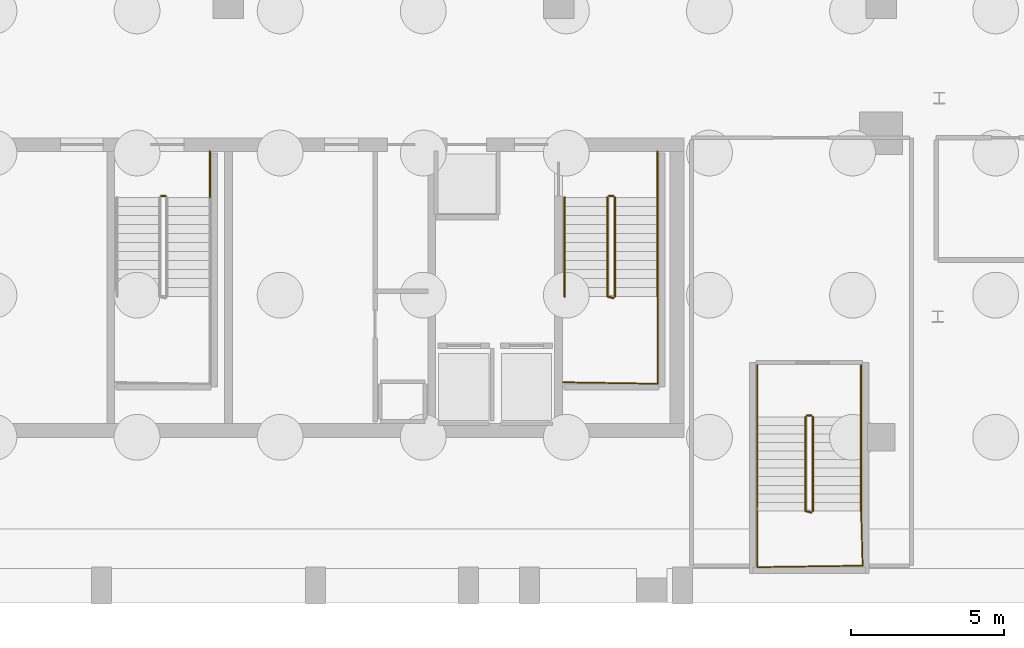
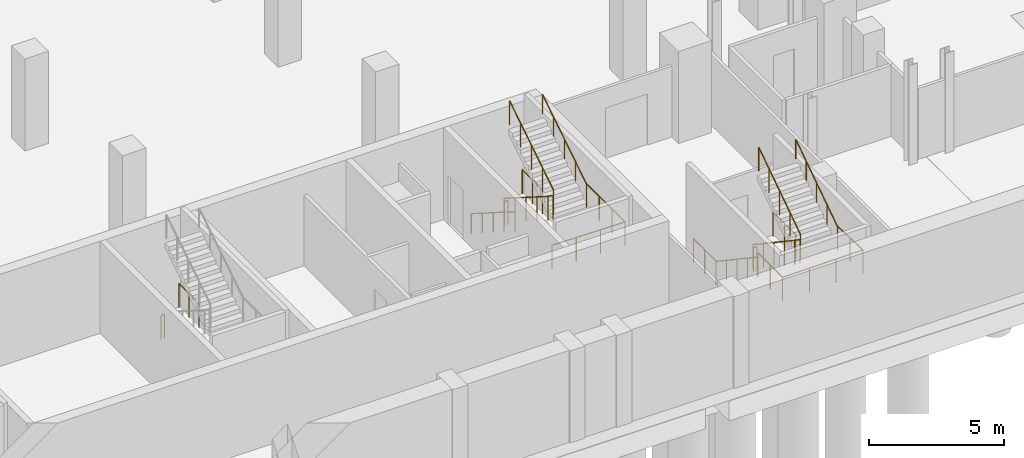
# One storey, part 16 of 18: 17 railings.
"""IFC4 building model written with IfcOpenShell, lengths in metres."""

from ifc_helpers import new_model, si_unit, direction, frame, origin, origin_2d, place, context, subcontext, project, spatial, circle, extrude, material, layer, layer_set, type_object, element, save


model = new_model("IFC4")

# Units and contexts
model_context = context("Model", 3, precision=1e-05, world=origin(), true_north=direction((0.0, 1.0)))
body_context = subcontext(model_context, "Body", "Model", "MODEL_VIEW")
ifc_project = project(units=[si_unit("LENGTHUNIT", "METRE"), si_unit("AREAUNIT", "SQUARE_METRE"), si_unit("VOLUMEUNIT", "CUBIC_METRE"), si_unit("PLANEANGLEUNIT", "RADIAN"), si_unit("MASSUNIT", "GRAM", prefix="KILO")], contexts=[model_context])

# Site, building, storey
site_placement = place(None, origin())
site = spatial("IfcSite", under=ifc_project, at=site_placement, CompositionType="ELEMENT")
building_placement = place(site_placement, origin())
building = spatial("IfcBuilding", under=site, at=building_placement, Name="Ndaravel Arena Tower", CompositionType="ELEMENT")
storey_placement = place(building_placement, frame((0.0, 0.0, -9.0)))
storey = spatial("IfcBuildingStorey", under=building, at=storey_placement, Name="B02", CompositionType="ELEMENT", Elevation=-9.0)

# Railings
ifc_material_1 = material(Name="Steel S355", Category="steel")
ifc_layer_1 = layer(ifc_material_1, 0.06005859375)
ifc_layer_set_1 = layer_set([ifc_layer_1], Name="Steel S355")
railing_type_1 = type_object("IfcRailingType", Name="RAIL-STAIR-GD1100", PredefinedType="GUARDRAIL", material=ifc_layer_set_1)
railing_1_placement = place(storey_placement, frame((40.449951171875, 13.300048828125, 0.0)))
element("IfcRailing", 1, at=railing_1_placement, inside=storey, type_object=railing_type_1, Name="B02 ST-2 stair guard 4", PredefinedType="GUARDRAIL", context=body_context, shape_type="SweptSolid", body=[
    extrude(circle(Radius=0.02392578125, at=origin_2d()), frame((0.0, 0.0, 1.076171875), z_axis=(1.0, 0.0, 0.0), x_axis=(0.0, 1.0, 0.0)), (0.0, 0.0, 1.0), 0.14013671875),
    extrude(circle(Radius=0.02099609375, at=origin_2d()), origin(), (0.0, 0.0, 1.0), 1.052001953125),
    extrude(circle(Radius=0.02099609375, at=origin_2d()), frame((0.14013671875, 0.0, 0.0)), (0.0, 0.0, 1.0), 1.052001953125),
])
railing_2_placement = place(storey_placement, frame((42.0400390625, 14.75, 0.0)))
element("IfcRailing", 2, at=railing_2_placement, inside=storey, type_object=railing_type_1, Name="B02 ST-2 stair guard 5", PredefinedType="GUARDRAIL", context=body_context, shape_type="SweptSolid", body=[
    extrude(circle(Radius=0.02392578125, at=origin_2d()), frame((0.0, 0.0, 1.076171875), z_axis=(0.0, -1.0, 0.0), x_axis=(1.0, 0.0, 0.0)), (0.0, 0.0, 1.0), 1.5),
    extrude(circle(Radius=0.02099609375, at=origin_2d()), origin(), (0.0, 0.0, 1.0), 1.052001953125),
    extrude(circle(Radius=0.02099609375, at=origin_2d()), frame((0.0, -0.75, 0.0)), (0.0, 0.0, 1.0), 1.052001953125),
    extrude(circle(Radius=0.02099609375, at=origin_2d()), frame((0.0, -1.5, 0.0)), (0.0, 0.0, 1.0), 1.052001953125),
])
railing_3_placement = place(storey_placement, frame((55.050048828125, 13.25, 0.1875)))
element("IfcRailing", 3, at=railing_3_placement, inside=storey, type_object=railing_type_1, Name="B02 ST-3 stair guard 1", PredefinedType="GUARDRAIL", context=body_context, shape_type="SweptSolid", body=[
    extrude(circle(Radius=0.02392578125, at=origin_2d()), frame((0.0, 0.0, 1.076171875), z_axis=(0.0, -0.843964631203, 0.536398826693), x_axis=(1.0, 0.0, 0.0)), (0.0, 0.0, 1.0), 3.844970703125),
    extrude(circle(Radius=0.02392578125, at=origin_2d()), frame((0.0, -3.2451171875, 3.138671875), z_axis=(0.967299629482, -0.253636406702, 0.0), x_axis=(0.253636406702, 0.967299629482, 0.0)), (0.0, 0.0, 1.0), 0.1962890625),
    extrude(circle(Radius=0.02099609375, at=origin_2d()), origin(), (0.0, 0.0, 1.0), 1.052001953125),
    extrude(circle(Radius=0.02099609375, at=origin_2d()), frame((0.0, -0.811279296875, 0.515625)), (0.0, 0.0, 1.0), 1.052001953125),
    extrude(circle(Radius=0.02099609375, at=origin_2d()), frame((0.0, -1.62255859375, 1.03125)), (0.0, 0.0, 1.0), 1.052001953125),
    extrude(circle(Radius=0.02099609375, at=origin_2d()), frame((0.0, -2.433837890625, 1.546875)), (0.0, 0.0, 1.0), 1.052001953125),
    extrude(circle(Radius=0.02099609375, at=origin_2d()), frame((0.0, -3.2451171875, 2.0625)), (0.0, 0.0, 1.0), 1.052001953125),
    extrude(circle(Radius=0.02099609375, at=origin_2d()), frame((0.18994140625, -3.294921875, 2.0625)), (0.0, 0.0, 1.0), 1.052001953125),
])
railing_4_placement = place(storey_placement, frame((56.68994140625, 10.0048828125, 2.25)))
element("IfcRailing", 4, at=railing_4_placement, inside=storey, type_object=railing_type_1, Name="B02 ST-3 stair guard 2", PredefinedType="GUARDRAIL", context=body_context, shape_type="SweptSolid", body=[
    extrude(circle(Radius=0.02392578125, at=origin_2d()), frame((0.0, 0.0, 1.076171875), z_axis=(0.0, -1.0, 0.0), x_axis=(1.0, 0.0, 0.0)), (0.0, 0.0, 1.0), 2.85498046875),
    extrude(circle(Radius=0.02392578125, at=origin_2d()), frame((0.0, -2.85498046875, 1.076171875), z_axis=(-0.999868840623, 0.016195726322, 0.0), x_axis=(-0.016195726322, -0.999868840623, 0.0)), (0.0, 0.0, 1.0), 3.09033203125),
    extrude(circle(Radius=0.02099609375, at=origin_2d()), origin(), (0.0, 0.0, 1.0), 1.052001953125),
    extrude(circle(Radius=0.02099609375, at=origin_2d()), frame((0.0, -0.95166015625, 0.0)), (0.0, 0.0, 1.0), 1.052001953125),
    extrude(circle(Radius=0.02099609375, at=origin_2d()), frame((0.0, -1.9033203125, 0.0)), (0.0, 0.0, 1.0), 1.052001953125),
    extrude(circle(Radius=0.02099609375, at=origin_2d()), frame((0.0, -2.85498046875, 0.0)), (0.0, 0.0, 1.0), 1.052001953125),
    extrude(circle(Radius=0.02099609375, at=origin_2d()), frame((-1.030029296875, -2.83837890625, 0.0)), (0.0, 0.0, 1.0), 1.052001953125),
    extrude(circle(Radius=0.02099609375, at=origin_2d()), frame((-2.059814453125, -2.821533203125, 0.0)), (0.0, 0.0, 1.0), 1.052001953125),
    extrude(circle(Radius=0.02099609375, at=origin_2d()), frame((-3.08984375, -2.804931640625, 0.0)), (0.0, 0.0, 1.0), 1.052001953125),
])
railing_5_placement = place(storey_placement, frame((55.2900390625, 10.0048828125, 2.4375)))
element("IfcRailing", 5, at=railing_5_placement, inside=storey, type_object=railing_type_1, Name="B02 ST-3 stair guard 3", PredefinedType="GUARDRAIL", context=body_context, shape_type="SweptSolid", body=[
    extrude(circle(Radius=0.02392578125, at=origin_2d()), frame((0.0, 0.0, 1.076171875), z_axis=(0.0, 0.843964631203, 0.536398826693), x_axis=(-1.0, 0.0, 0.0)), (0.0, 0.0, 1.0), 3.844970703125),
    extrude(circle(Radius=0.02099609375, at=origin_2d()), origin(), (0.0, 0.0, 1.0), 1.052001953125),
    extrude(circle(Radius=0.02099609375, at=origin_2d()), frame((0.0, 0.811279296875, 0.515625)), (0.0, 0.0, 1.0), 1.052001953125),
    extrude(circle(Radius=0.02099609375, at=origin_2d()), frame((0.0, 1.62255859375, 1.03125)), (0.0, 0.0, 1.0), 1.052001953125),
    extrude(circle(Radius=0.02099609375, at=origin_2d()), frame((0.0, 2.433837890625, 1.546875)), (0.0, 0.0, 1.0), 1.052001953125),
    extrude(circle(Radius=0.02099609375, at=origin_2d()), frame((0.0, 3.2451171875, 2.0625)), (0.0, 0.0, 1.0), 1.052001953125),
])
railing_6_placement = place(storey_placement, frame((55.10009765625, 13.300048828125, 0.0)))
element("IfcRailing", 6, at=railing_6_placement, inside=storey, type_object=railing_type_1, Name="B02 ST-3 stair guard 4", PredefinedType="GUARDRAIL", context=body_context, shape_type="SweptSolid", body=[
    extrude(circle(Radius=0.02392578125, at=origin_2d()), frame((0.0, 0.0, 1.076171875), z_axis=(1.0, 0.0, 0.0), x_axis=(0.0, 1.0, 0.0)), (0.0, 0.0, 1.0), 0.139892578125),
    extrude(circle(Radius=0.02099609375, at=origin_2d()), origin(), (0.0, 0.0, 1.0), 1.052001953125),
    extrude(circle(Radius=0.02099609375, at=origin_2d()), frame((0.139892578125, 0.0, 0.0)), (0.0, 0.0, 1.0), 1.052001953125),
])
railing_7_placement = place(storey_placement, frame((56.68994140625, 14.75, 0.0)))
element("IfcRailing", 7, at=railing_7_placement, inside=storey, type_object=railing_type_1, Name="B02 ST-3 stair guard 5", PredefinedType="GUARDRAIL", context=body_context, shape_type="SweptSolid", body=[
    extrude(circle(Radius=0.02392578125, at=origin_2d()), frame((0.0, 0.0, 1.076171875), z_axis=(0.0, -1.0, 0.0), x_axis=(1.0, 0.0, 0.0)), (0.0, 0.0, 1.0), 1.5),
    extrude(circle(Radius=0.02099609375, at=origin_2d()), origin(), (0.0, 0.0, 1.0), 1.052001953125),
    extrude(circle(Radius=0.02099609375, at=origin_2d()), frame((0.0, -0.75, 0.0)), (0.0, 0.0, 1.0), 1.052001953125),
    extrude(circle(Radius=0.02099609375, at=origin_2d()), frame((0.0, -1.5, 0.0)), (0.0, 0.0, 1.0), 1.052001953125),
])
railing_8_placement = place(storey_placement, frame((61.530029296875, 6.070068359375, 0.1875)))
element("IfcRailing", 8, at=railing_8_placement, inside=storey, type_object=railing_type_1, Name="B02 ST-B2 stair guard 1", PredefinedType="GUARDRAIL", context=body_context, shape_type="SweptSolid", body=[
    extrude(circle(Radius=0.02392578125, at=origin_2d()), frame((0.0, 0.0, 1.076171875), z_axis=(0.0, -0.830913701846, 0.55640131208), x_axis=(1.0, 0.0, 0.0)), (0.0, 0.0, 1.0), 3.706787109375),
    extrude(circle(Radius=0.02392578125, at=origin_2d()), frame((0.0, -3.080078125, 3.138671875), z_axis=(0.966993988697, -0.254799187253, 0.0), x_axis=(0.254799187253, 0.966993988697, 0.0)), (0.0, 0.0, 1.0), 0.196533203125),
    extrude(circle(Radius=0.02099609375, at=origin_2d()), origin(), (0.0, 0.0, 1.0), 1.052001953125),
    extrude(circle(Radius=0.02099609375, at=origin_2d()), frame((0.0, -0.77001953125, 0.515625)), (0.0, 0.0, 1.0), 1.052001953125),
    extrude(circle(Radius=0.02099609375, at=origin_2d()), frame((0.0, -1.5400390625, 1.03125)), (0.0, 0.0, 1.0), 1.052001953125),
    extrude(circle(Radius=0.02099609375, at=origin_2d()), frame((0.0, -2.31005859375, 1.546875)), (0.0, 0.0, 1.0), 1.052001953125),
    extrude(circle(Radius=0.02099609375, at=origin_2d()), frame((0.0, -3.080078125, 2.0625)), (0.0, 0.0, 1.0), 1.052001953125),
    extrude(circle(Radius=0.02099609375, at=origin_2d()), frame((0.18994140625, -3.130126953125, 2.0625)), (0.0, 0.0, 1.0), 1.052001953125),
])
railing_9_placement = place(storey_placement, frame((59.949951171875, 2.989990234375, 2.25)))
element("IfcRailing", 9, at=railing_9_placement, inside=storey, type_object=railing_type_1, Name="B02 ST-B2 stair guard 2", PredefinedType="GUARDRAIL", context=body_context, shape_type="SweptSolid", body=[
    extrude(circle(Radius=0.02392578125, at=origin_2d()), frame((0.0, 0.0, 1.076171875), z_axis=(0.0, -1.0, 0.0), x_axis=(1.0, 0.0, 0.0)), (0.0, 0.0, 1.0), 1.840087890625),
    extrude(circle(Radius=0.02392578125, at=origin_2d()), frame((0.0, -1.840087890625, 1.076171875), z_axis=(0.999894788457, 0.014505585708, 0.0), x_axis=(-0.014505585708, 0.999894788457, 0.0)), (0.0, 0.0, 1.0), 3.4501953125),
    extrude(circle(Radius=0.02392578125, at=origin_2d()), frame((3.449951171875, -1.7900390625, 1.076171875), z_axis=(-0.027812477397, 0.999613158227, 0.0), x_axis=(-0.999613158227, -0.027812477397, 0.0)), (0.0, 0.0, 1.0), 1.790771484375),
    extrude(circle(Radius=0.02099609375, at=origin_2d()), origin(), (0.0, 0.0, 1.0), 1.052001953125),
    extrude(circle(Radius=0.02099609375, at=origin_2d()), frame((0.0, -0.919921875, 0.0)), (0.0, 0.0, 1.0), 1.052001953125),
    extrude(circle(Radius=0.02099609375, at=origin_2d()), frame((0.0, -1.840087890625, 0.0)), (0.0, 0.0, 1.0), 1.052001953125),
    extrude(circle(Radius=0.02099609375, at=origin_2d()), frame((1.14990234375, -1.823486328125, 0.0)), (0.0, 0.0, 1.0), 1.052001953125),
    extrude(circle(Radius=0.02099609375, at=origin_2d()), frame((2.300048828125, -1.806640625, 0.0)), (0.0, 0.0, 1.0), 1.052001953125),
    extrude(circle(Radius=0.02099609375, at=origin_2d()), frame((3.449951171875, -1.7900390625, 0.0)), (0.0, 0.0, 1.0), 1.052001953125),
    extrude(circle(Radius=0.02099609375, at=origin_2d()), frame((3.425048828125, -0.89501953125, 0.0)), (0.0, 0.0, 1.0), 1.052001953125),
    extrude(circle(Radius=0.02099609375, at=origin_2d()), frame((3.400146484375, 0.0, 0.0)), (0.0, 0.0, 1.0), 1.052001953125),
])
railing_10_placement = place(storey_placement, frame((61.77001953125, 2.989990234375, 2.4375)))
element("IfcRailing", 10, at=railing_10_placement, inside=storey, type_object=railing_type_1, Name="B02 ST-B2 stair guard 3", PredefinedType="GUARDRAIL", context=body_context, shape_type="SweptSolid", body=[
    extrude(circle(Radius=0.02392578125, at=origin_2d()), frame((0.0, 0.0, 1.076171875), z_axis=(0.0, 0.830913701846, 0.55640131208), x_axis=(-1.0, 0.0, 0.0)), (0.0, 0.0, 1.0), 3.706787109375),
    extrude(circle(Radius=0.02099609375, at=origin_2d()), origin(), (0.0, 0.0, 1.0), 1.052001953125),
    extrude(circle(Radius=0.02099609375, at=origin_2d()), frame((0.0, 0.77001953125, 0.515625)), (0.0, 0.0, 1.0), 1.052001953125),
    extrude(circle(Radius=0.02099609375, at=origin_2d()), frame((0.0, 1.5400390625, 1.03125)), (0.0, 0.0, 1.0), 1.052001953125),
    extrude(circle(Radius=0.02099609375, at=origin_2d()), frame((0.0, 2.31005859375, 1.546875)), (0.0, 0.0, 1.0), 1.052001953125),
    extrude(circle(Radius=0.02099609375, at=origin_2d()), frame((0.0, 3.080078125, 2.0625)), (0.0, 0.0, 1.0), 1.052001953125),
])
railing_11_placement = place(storey_placement, frame((61.580078125, 6.1201171875, 0.0)))
element("IfcRailing", 11, at=railing_11_placement, inside=storey, type_object=railing_type_1, Name="B02 ST-B2 stair guard 4", PredefinedType="GUARDRAIL", context=body_context, shape_type="SweptSolid", body=[
    extrude(circle(Radius=0.02392578125, at=origin_2d()), frame((0.0, 0.0, 1.076171875), z_axis=(1.0, 0.0, 0.0), x_axis=(0.0, 1.0, 0.0)), (0.0, 0.0, 1.0), 0.139892578125),
    extrude(circle(Radius=0.02099609375, at=origin_2d()), origin(), (0.0, 0.0, 1.0), 1.052001953125),
    extrude(circle(Radius=0.02099609375, at=origin_2d()), frame((0.139892578125, 0.0, 0.0)), (0.0, 0.0, 1.0), 1.052001953125),
])
for number, where, name in (
    (12, (59.949951171875, 7.75, 0.0), "B02 ST-B2 stair guard 5"),
    (13, (63.35009765625, 7.75, 0.0), "B02 ST-B2 stair guard 6"),
):
    element("IfcRailing", number, at=place(storey_placement, frame(where)), inside=storey, type_object=railing_type_1, Name=name, PredefinedType="GUARDRAIL", context=body_context, shape_type="SweptSolid", body=[
        extrude(circle(Radius=0.02392578125, at=origin_2d()), frame((0.0, 0.0, 1.076171875), z_axis=(0.0, -1.0, 0.0), x_axis=(1.0, 0.0, 0.0)), (0.0, 0.0, 1.0), 1.679931640625),
        extrude(circle(Radius=0.02099609375, at=origin_2d()), origin(), (0.0, 0.0, 1.0), 1.052001953125),
        extrude(circle(Radius=0.02099609375, at=origin_2d()), frame((0.0, -0.83984375, 0.0)), (0.0, 0.0, 1.0), 1.052001953125),
        extrude(circle(Radius=0.02099609375, at=origin_2d()), frame((0.0, -1.679931640625, 0.0)), (0.0, 0.0, 1.0), 1.052001953125),
    ])
ifc_material_2 = material(Name="Steel S355", Category="steel")
ifc_layer_2 = layer(ifc_material_2, 0.050048828125)
ifc_layer_set_2 = layer_set([ifc_layer_2], Name="Steel S355")
railing_type_2 = type_object("IfcRailingType", Name="RAIL-STAIR-HR920", PredefinedType="HANDRAIL", material=ifc_layer_set_2)
railing_12_placement = place(storey_placement, frame((53.64990234375, 13.25, 0.1875)))
element("IfcRailing", 14, at=railing_12_placement, inside=storey, type_object=railing_type_2, Name="B02 ST-3 stair handrail 1", PredefinedType="HANDRAIL", context=body_context, shape_type="SweptSolid", body=[
    extrude(circle(Radius=0.02392578125, at=origin_2d()), frame((0.0, 0.0, 0.8759765625), z_axis=(0.0, -0.843964631203, 0.536398826693), x_axis=(1.0, 0.0, 0.0)), (0.0, 0.0, 1.0), 3.844970703125),
    extrude(circle(Radius=0.02099609375, at=origin_2d()), origin(), (0.0, 0.0, 1.0), 0.851806640625),
    extrude(circle(Radius=0.02099609375, at=origin_2d()), frame((0.0, -0.811279296875, 0.515625)), (0.0, 0.0, 1.0), 0.851806640625),
    extrude(circle(Radius=0.02099609375, at=origin_2d()), frame((0.0, -1.62255859375, 1.03125)), (0.0, 0.0, 1.0), 0.851806640625),
    extrude(circle(Radius=0.02099609375, at=origin_2d()), frame((0.0, -2.433837890625, 1.546875)), (0.0, 0.0, 1.0), 0.851806640625),
    extrude(circle(Radius=0.02099609375, at=origin_2d()), frame((0.0, -3.2451171875, 2.0625)), (0.0, 0.0, 1.0), 0.851806640625),
])
railing_13_placement = place(storey_placement, frame((56.68994140625, 10.0048828125, 2.4375)))
element("IfcRailing", 15, at=railing_13_placement, inside=storey, type_object=railing_type_2, Name="B02 ST-3 stair handrail 2", PredefinedType="HANDRAIL", context=body_context, shape_type="SweptSolid", body=[
    extrude(circle(Radius=0.02392578125, at=origin_2d()), frame((0.0, 0.0, 0.8759765625), z_axis=(0.0, 0.843964631203, 0.536398826693), x_axis=(-1.0, 0.0, 0.0)), (0.0, 0.0, 1.0), 3.844970703125),
    extrude(circle(Radius=0.02099609375, at=origin_2d()), origin(), (0.0, 0.0, 1.0), 0.851806640625),
    extrude(circle(Radius=0.02099609375, at=origin_2d()), frame((0.0, 0.811279296875, 0.515625)), (0.0, 0.0, 1.0), 0.851806640625),
    extrude(circle(Radius=0.02099609375, at=origin_2d()), frame((0.0, 1.62255859375, 1.03125)), (0.0, 0.0, 1.0), 0.851806640625),
    extrude(circle(Radius=0.02099609375, at=origin_2d()), frame((0.0, 2.433837890625, 1.546875)), (0.0, 0.0, 1.0), 0.851806640625),
    extrude(circle(Radius=0.02099609375, at=origin_2d()), frame((0.0, 3.2451171875, 2.0625)), (0.0, 0.0, 1.0), 0.851806640625),
])
railing_14_placement = place(storey_placement, frame((59.949951171875, 6.070068359375, 0.1875)))
element("IfcRailing", 16, at=railing_14_placement, inside=storey, type_object=railing_type_2, Name="B02 ST-B2 stair handrail 1", PredefinedType="HANDRAIL", context=body_context, shape_type="SweptSolid", body=[
    extrude(circle(Radius=0.02392578125, at=origin_2d()), frame((0.0, 0.0, 0.8759765625), z_axis=(0.0, -0.830913701846, 0.55640131208), x_axis=(1.0, 0.0, 0.0)), (0.0, 0.0, 1.0), 3.706787109375),
    extrude(circle(Radius=0.02099609375, at=origin_2d()), origin(), (0.0, 0.0, 1.0), 0.851806640625),
    extrude(circle(Radius=0.02099609375, at=origin_2d()), frame((0.0, -0.77001953125, 0.515625)), (0.0, 0.0, 1.0), 0.851806640625),
    extrude(circle(Radius=0.02099609375, at=origin_2d()), frame((0.0, -1.5400390625, 1.03125)), (0.0, 0.0, 1.0), 0.851806640625),
    extrude(circle(Radius=0.02099609375, at=origin_2d()), frame((0.0, -2.31005859375, 1.546875)), (0.0, 0.0, 1.0), 0.851806640625),
    extrude(circle(Radius=0.02099609375, at=origin_2d()), frame((0.0, -3.080078125, 2.0625)), (0.0, 0.0, 1.0), 0.851806640625),
])
railing_15_placement = place(storey_placement, frame((63.35009765625, 2.989990234375, 2.4375)))
element("IfcRailing", 17, at=railing_15_placement, inside=storey, type_object=railing_type_2, Name="B02 ST-B2 stair handrail 2", PredefinedType="HANDRAIL", context=body_context, shape_type="SweptSolid", body=[
    extrude(circle(Radius=0.02392578125, at=origin_2d()), frame((0.0, 0.0, 0.8759765625), z_axis=(0.0, 0.830913701846, 0.55640131208), x_axis=(-1.0, 0.0, 0.0)), (0.0, 0.0, 1.0), 3.706787109375),
    extrude(circle(Radius=0.02099609375, at=origin_2d()), origin(), (0.0, 0.0, 1.0), 0.851806640625),
    extrude(circle(Radius=0.02099609375, at=origin_2d()), frame((0.0, 0.77001953125, 0.515625)), (0.0, 0.0, 1.0), 0.851806640625),
    extrude(circle(Radius=0.02099609375, at=origin_2d()), frame((0.0, 1.5400390625, 1.03125)), (0.0, 0.0, 1.0), 0.851806640625),
    extrude(circle(Radius=0.02099609375, at=origin_2d()), frame((0.0, 2.31005859375, 1.546875)), (0.0, 0.0, 1.0), 0.851806640625),
    extrude(circle(Radius=0.02099609375, at=origin_2d()), frame((0.0, 3.080078125, 2.0625)), (0.0, 0.0, 1.0), 0.851806640625),
])

save(model, "model.ifc")
